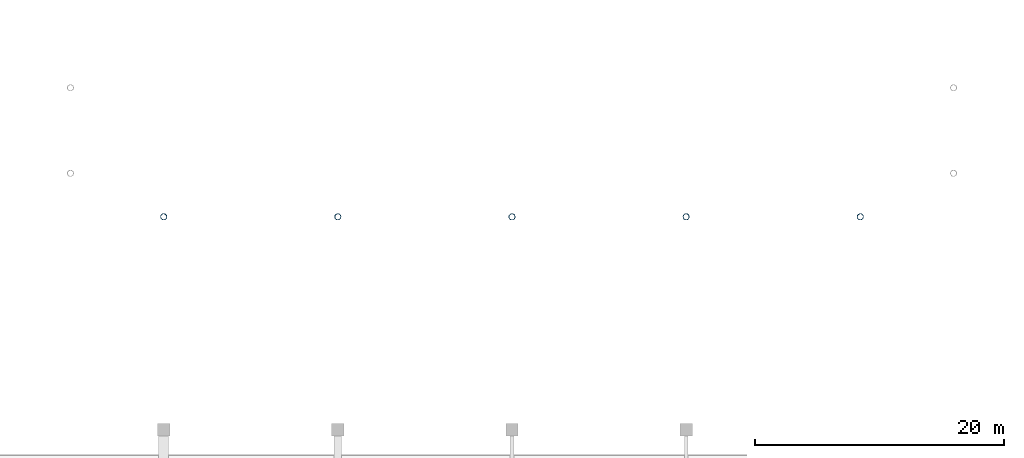
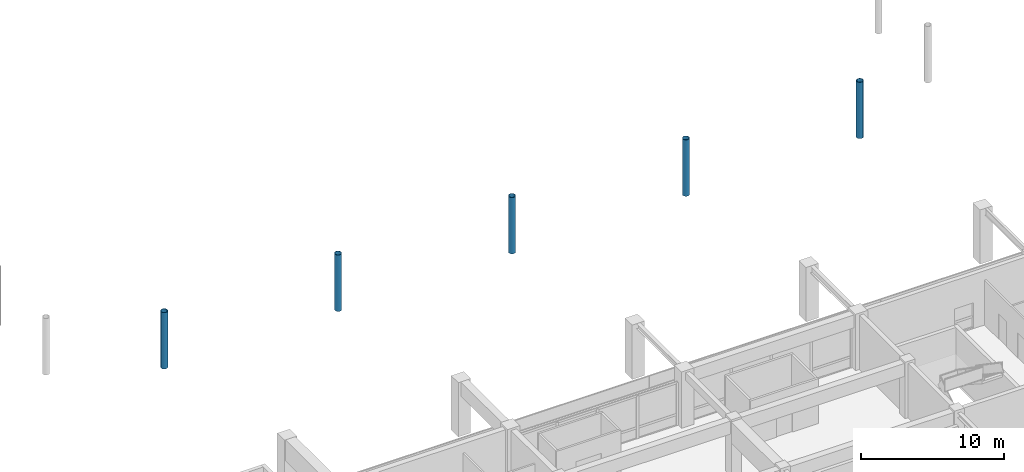
# One storey, part 4 of 91: 5 columns.
"""IFC4 building model written with IfcOpenShell, lengths in metres."""

from ifc_helpers import new_model, si_unit, direction, frame, origin, origin_2d, place, context, subcontext, project, spatial, hollow_circle, extrude, material, material_profile, profile_set, type_object, element, save


model = new_model("IFC4")

# Units and contexts
model_context = context("Model", 3, precision=1e-05, world=origin(), true_north=direction((0.0, 1.0)))
body_context = subcontext(model_context, "Body", "Model", "MODEL_VIEW")
ifc_project = project(units=[si_unit("LENGTHUNIT", "METRE"), si_unit("AREAUNIT", "SQUARE_METRE"), si_unit("VOLUMEUNIT", "CUBIC_METRE"), si_unit("PLANEANGLEUNIT", "RADIAN"), si_unit("MASSUNIT", "GRAM", prefix="KILO")], contexts=[model_context])

# Site, building, storey
site_placement = place(None, origin())
site = spatial("IfcSite", under=ifc_project, at=site_placement, CompositionType="ELEMENT")
building_placement = place(site_placement, origin())
building = spatial("IfcBuilding", under=site, at=building_placement, Name="Linyun Crest Stadium", CompositionType="ELEMENT")
storey_placement = place(building_placement, frame((0.0, 0.0, 11.39990234375)))
storey = spatial("IfcBuildingStorey", under=building, at=storey_placement, Name="L03", CompositionType="ELEMENT", Elevation=11.39990234375)

# Columns
ifc_material = material(Name="Steel Q355C", Category="steel")
ifc_material_profile = material_profile(ifc_material, hollow_circle(Radius=0.25390625, WallThickness=0.02490234375, at=origin_2d()), Name="CHS 508x25")
ifc_profile_set = profile_set([ifc_material_profile], Name="Steel Q355C")
column_type = type_object("IfcColumnType", Name="SC05", PredefinedType="COLUMN", material=ifc_profile_set)
for number, where, z_axis, x_axis, name in (
    (1, (-28.0, -49.5, 0.0), (0.0, 0.0, 1.0), (1.0, 0.0, 0.0), "Arch colonnade column SC05 L03 44"),
    (2, (-14.0, -49.5, 0.0), (0.0, 0.0, 1.0), (1.0, 0.0, 0.0), "Arch colonnade column SC05 L03 46"),
    (3, (0.0, -49.5, 0.0), (0.0, 0.0, 1.0), (1.0, 0.0, 0.0), "Arch colonnade column SC05 L03 48"),
    (4, (14.0, -49.5, 0.0), (0.0, 0.0, 1.0), (1.0, 0.0, 0.0), "Arch colonnade column SC05 L03 50"),
    (5, (28.0, -49.5, 0.0), (0.0, 0.0, 1.0), (1.0, 0.0, 0.0), "Arch colonnade column SC05 L03 52"),
):
    element("IfcColumn", number, at=place(storey_placement, frame(where, z_axis=z_axis, x_axis=x_axis)), inside=storey, type_object=column_type, Name=name, PredefinedType="COLUMN", context=body_context, shape_type="SweptSolid", body=[
        extrude(hollow_circle(Radius=0.25390625, WallThickness=0.02490234375, at=origin_2d()), origin(), (0.0, 0.0, 1.0), 4.800048828125),
    ])

save(model, "model.ifc")
